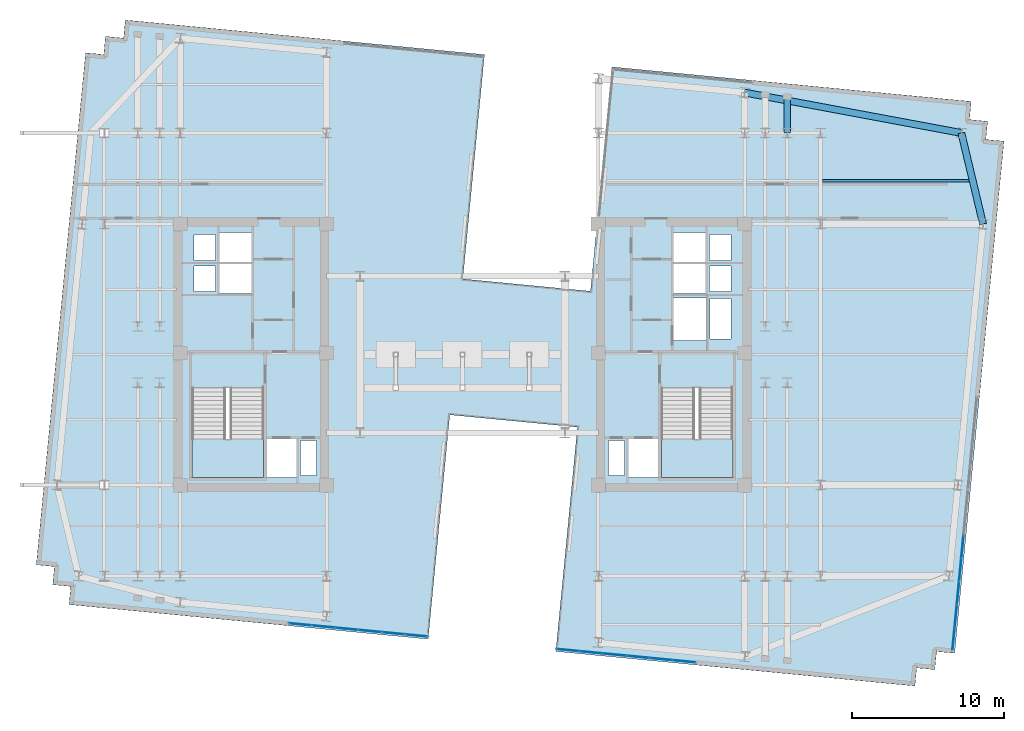
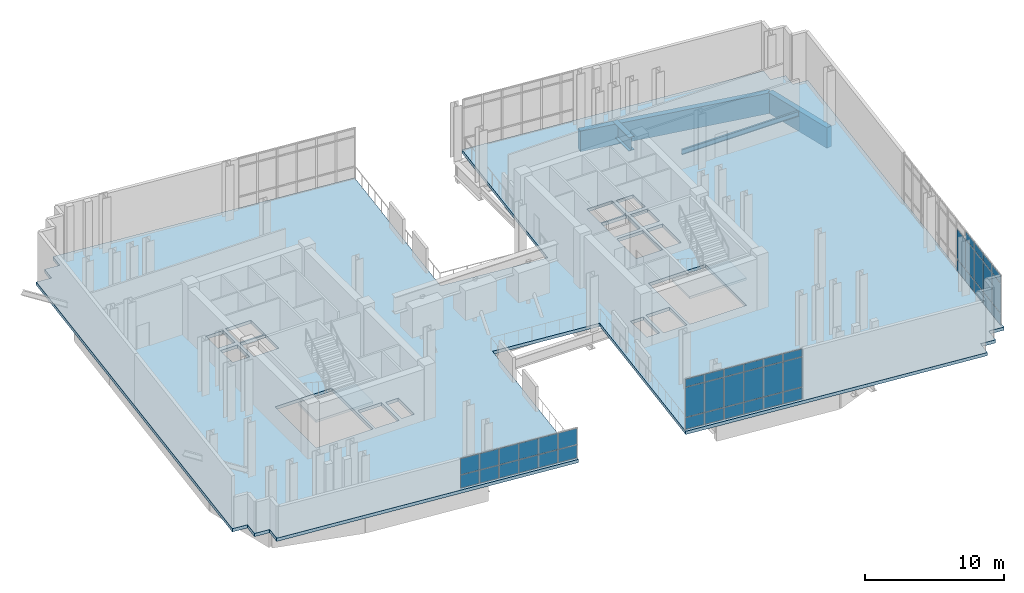
# One storey, part 10 of 16: 44 plates, 4 beams, 3 slabs, 5 elements without a shape of their own.
"""IFC4 building model written with IfcOpenShell, lengths in metres."""

from ifc_helpers import new_model, si_unit, direction, frame, origin, origin_2d, place, context, subcontext, project, spatial, polyline, rectangle, i_section, outline, extrude, material, layer, layer_set, material_profile, profile_set, type_object, element, aggregate, save


model = new_model("IFC4")

# Units and contexts
model_context = context("Model", 3, precision=1e-05, world=origin(), true_north=direction((0.0, 1.0)))
body_context = subcontext(model_context, "Body", "Model", "MODEL_VIEW")
ifc_project = project(units=[si_unit("LENGTHUNIT", "METRE"), si_unit("AREAUNIT", "SQUARE_METRE"), si_unit("VOLUMEUNIT", "CUBIC_METRE"), si_unit("PLANEANGLEUNIT", "RADIAN"), si_unit("MASSUNIT", "GRAM", prefix="KILO")], contexts=[model_context])

# Site, building, storey
site_placement = place(None, origin())
site = spatial("IfcSite", under=ifc_project, at=site_placement, CompositionType="ELEMENT")
building_placement = place(site_placement, origin())
building = spatial("IfcBuilding", under=site, at=building_placement, Name="Velakula Bourse", CompositionType="ELEMENT")
storey_placement = place(building_placement, frame((0.0, 0.0, 199.5)))
storey = spatial("IfcBuildingStorey", under=building, at=storey_placement, Name="L54", CompositionType="ELEMENT", Elevation=199.5)

# Beams
ifc_material_1 = material(Name="Steel IS 2062 Grade 350 (E350)", Category="steel")
ifc_material_profile_1 = material_profile(ifc_material_1, i_section(OverallWidth=0.14990234375, OverallDepth=0.449951171875, WebThickness=0.009521484375, FlangeThickness=0.017333984375, at=origin_2d()), Name="Steel IS 2062 Grade 350 (E350)")
ifc_profile_set_1 = profile_set([ifc_material_profile_1], Name="Steel IS 2062 Grade 350 (E350)")
beam_type_1 = type_object("IfcBeamType", Name="JST-TWR-450", PredefinedType="JOIST", material=ifc_profile_set_1)
beam_1_placement = place(storey_placement, frame((23.72509765625, 11.449951171875, -0.5048828125), z_axis=(1.0, 0.0, 0.0), x_axis=(0.0, 1.0, 0.0)))
element("IfcBeam", 1, at=beam_1_placement, inside=storey, type_object=beam_type_1, Name="L54 Trading Floor Composite Joist 13", PredefinedType="JOIST", context=body_context, shape_type="SweptSolid", body=[
    extrude(i_section(OverallWidth=0.14990234375, OverallDepth=0.449951171875, WebThickness=0.009521484375, FlangeThickness=0.017333984375, at=origin_2d()), origin(), (0.0, 0.0, 1.0), 9.668701171875),
])
ifc_material_2 = material(Name="Concrete M50 (fck 50 MPa)", Category="concrete")
ifc_material_profile_2 = material_profile(ifc_material_2, rectangle(XDim=0.449951171875, YDim=1.800048828125, at=origin_2d()), Name="Concrete M50 (fck 50 MPa)")
ifc_profile_set_2 = profile_set([ifc_material_profile_2], Name="Concrete M50 (fck 50 MPa)")
beam_type_2 = type_object("IfcBeamType", Name="SPN-TRF-1800", PredefinedType="SPANDREL", material=ifc_profile_set_2)
beam_2_placement = place(storey_placement, frame((34.30517578125, 8.60009765625, -1.179931640625), z_axis=(-0.232091371601, 0.972693988482, 0.0), x_axis=(-0.972693988482, -0.232091371601, 0.0)))
element("IfcBeam", 2, at=beam_2_placement, inside=storey, type_object=beam_type_2, Name="L54 Brick-Faced Precast Spandrel E3-E4", PredefinedType="SPANDREL", context=body_context, shape_type="SweptSolid", body=[
    extrude(rectangle(XDim=0.449951171875, YDim=1.800048828125, at=origin_2d()), origin(), (0.0, 0.0, 1.0), 6.16845703125),
])
beam_3_placement = place(storey_placement, frame((32.87353515625, 14.60009765625, -1.179931640625), z_axis=(-0.983069592122, 0.183232576378, 0.0), x_axis=(-0.183232576378, -0.983069592122, 0.0)))
element("IfcBeam", 3, at=beam_3_placement, inside=storey, type_object=beam_type_2, Name="L54 Brick-Faced Precast Spandrel E4-N4", PredefinedType="SPANDREL", context=body_context, shape_type="SweptSolid", body=[
    extrude(rectangle(XDim=0.449951171875, YDim=1.800048828125, at=origin_2d()), origin(), (0.0, 0.0, 1.0), 14.519287109375),
])
ifc_material_3 = material(Name="Steel IS 2062 Grade 450 (E450)", Category="steel")
ifc_material_profile_3 = material_profile(ifc_material_3, i_section(OverallWidth=0.449951171875, OverallDepth=1.199951171875, WebThickness=0.02587890625, FlangeThickness=0.0400390625, at=origin_2d()), Name="Steel IS 2062 Grade 450 (E450)")
ifc_profile_set_3 = profile_set([ifc_material_profile_3], Name="Steel IS 2062 Grade 450 (E450)")
beam_type_3 = type_object("IfcBeamType", Name="TB-CANT-1200", PredefinedType="BEAM", material=ifc_profile_set_3)
beam_4_placement = place(storey_placement, frame((21.39990234375, 14.60009765625, -0.8798828125), z_axis=(0.0, 1.0, 0.0), x_axis=(-1.0, 0.0, 0.0)))
element("IfcBeam", 4, at=beam_4_placement, inside=storey, type_object=beam_type_3, Name="L54 Perimeter Tie Girder P08", PredefinedType="BEAM", context=body_context, shape_type="SweptSolid", body=[
    extrude(i_section(OverallWidth=0.449951171875, OverallDepth=1.199951171875, WebThickness=0.02587890625, FlangeThickness=0.0400390625, at=origin_2d()), origin(), (0.0, 0.0, 1.0), 2.390869140625),
])

# Curtain wall, plates
ifc_material_4 = material(Name="Anodised bronze architectural aluminium", Category="aluminium")
ifc_layer_1 = layer(ifc_material_4, 0.139892578125, Name="Anodised bronze architectural aluminium", Category="aluminium")
ifc_layer_set_1 = layer_set([ifc_layer_1], Name="Anodised bronze architectural aluminium")
curtain_wall_type = type_object("IfcCurtainWallType", Name="CW-TS1", PredefinedType="NOTDEFINED", material=ifc_layer_set_1)
curtain_wall_1_placement = place(storey_placement, origin())
curtain_wall_1 = element("IfcCurtainWall", 5, at=curtain_wall_1_placement, inside=storey, type_object=curtain_wall_type, Name="L54 Venturi Observation Curtain Wall S-B2", PredefinedType="NOTDEFINED")
ifc_material_5 = material(Name="Double-glazed solar-control Low-E glass", Category="glass")
ifc_layer_2 = layer(ifc_material_5, 0.02197265625, Name="Double-glazed solar-control Low-E glass", Category="glass")
ifc_layer_set_2 = layer_set([ifc_layer_2], Name="Double-glazed solar-control Low-E glass")
plate_type = type_object("IfcPlateType", Name="PNL-CW-TS1", PredefinedType="CURTAIN_PANEL", material=ifc_layer_set_2)
plate_1_placement = place(storey_placement, frame((-3.029052734375, -18.521240234375, 0.06005859375), z_axis=(0.0, 0.0, 1.0), x_axis=(-0.995395883396, 0.095849023567, 0.0)))
plate_1 = element("IfcPlate", 6, at=plate_1_placement, type_object=plate_type, Name="CW-TS1 panel 1.1", PredefinedType="CURTAIN_PANEL", context=body_context, shape_type="SweptSolid", body=[
    extrude(rectangle(XDim=1.455810546875, YDim=0.028076171875, at=origin_2d()), origin(), (0.0, 0.0, 1.0), 1.122802734375),
])
plate_2_placement = place(storey_placement, frame((-3.029052734375, -18.521240234375, 1.24267578125), z_axis=(0.0, 0.0, 1.0), x_axis=(-0.995395883396, 0.095849023567, 0.0)))
plate_2 = element("IfcPlate", 7, at=plate_2_placement, type_object=plate_type, Name="CW-TS1 panel 1.2", PredefinedType="CURTAIN_PANEL", context=body_context, shape_type="SweptSolid", body=[
    extrude(rectangle(XDim=1.455810546875, YDim=0.028076171875, at=origin_2d()), origin(), (0.0, 0.0, 1.0), 1.392333984375),
])
plate_3_placement = place(storey_placement, frame((-4.552978515625, -18.37451171875, 0.06005859375), z_axis=(0.0, 0.0, 1.0), x_axis=(-0.995395883396, 0.095849023567, 0.0)))
plate_3 = element("IfcPlate", 8, at=plate_3_placement, type_object=plate_type, Name="CW-TS1 panel 2.1", PredefinedType="CURTAIN_PANEL", context=body_context, shape_type="SweptSolid", body=[
    extrude(rectangle(XDim=1.48583984375, YDim=0.028076171875, at=origin_2d()), origin(), (0.0, 0.0, 1.0), 1.122802734375),
])
plate_4_placement = place(storey_placement, frame((-4.552978515625, -18.37451171875, 1.24267578125), z_axis=(0.0, 0.0, 1.0), x_axis=(-0.995395883396, 0.095849023567, 0.0)))
plate_4 = element("IfcPlate", 9, at=plate_4_placement, type_object=plate_type, Name="CW-TS1 panel 2.2", PredefinedType="CURTAIN_PANEL", context=body_context, shape_type="SweptSolid", body=[
    extrude(rectangle(XDim=1.48583984375, YDim=0.028076171875, at=origin_2d()), origin(), (0.0, 0.0, 1.0), 1.392333984375),
])
plate_5_placement = place(storey_placement, frame((-6.091552734375, -18.226318359375, 0.06005859375), z_axis=(0.0, 0.0, 1.0), x_axis=(-0.995395883396, 0.095849023567, 0.0)))
plate_5 = element("IfcPlate", 10, at=plate_5_placement, type_object=plate_type, Name="CW-TS1 panel 3.1", PredefinedType="CURTAIN_PANEL", context=body_context, shape_type="SweptSolid", body=[
    extrude(rectangle(XDim=1.48583984375, YDim=0.028076171875, at=origin_2d()), origin(), (0.0, 0.0, 1.0), 1.122802734375),
])
plate_6_placement = place(storey_placement, frame((-6.091552734375, -18.226318359375, 1.24267578125), z_axis=(0.0, 0.0, 1.0), x_axis=(-0.995395883396, 0.095849023567, 0.0)))
plate_6 = element("IfcPlate", 11, at=plate_6_placement, type_object=plate_type, Name="CW-TS1 panel 3.2", PredefinedType="CURTAIN_PANEL", context=body_context, shape_type="SweptSolid", body=[
    extrude(rectangle(XDim=1.48583984375, YDim=0.028076171875, at=origin_2d()), origin(), (0.0, 0.0, 1.0), 1.392333984375),
])
plate_7_placement = place(storey_placement, frame((-7.63037109375, -18.078125, 0.06005859375), z_axis=(0.0, 0.0, 1.0), x_axis=(-0.995395883396, 0.095849023567, 0.0)))
plate_7 = element("IfcPlate", 12, at=plate_7_placement, type_object=plate_type, Name="CW-TS1 panel 4.1", PredefinedType="CURTAIN_PANEL", context=body_context, shape_type="SweptSolid", body=[
    extrude(rectangle(XDim=1.48583984375, YDim=0.028076171875, at=origin_2d()), origin(), (0.0, 0.0, 1.0), 1.122802734375),
])
plate_8_placement = place(storey_placement, frame((-7.63037109375, -18.078125, 1.24267578125), z_axis=(0.0, 0.0, 1.0), x_axis=(-0.995395883396, 0.095849023567, 0.0)))
plate_8 = element("IfcPlate", 13, at=plate_8_placement, type_object=plate_type, Name="CW-TS1 panel 4.2", PredefinedType="CURTAIN_PANEL", context=body_context, shape_type="SweptSolid", body=[
    extrude(rectangle(XDim=1.48583984375, YDim=0.028076171875, at=origin_2d()), origin(), (0.0, 0.0, 1.0), 1.392333984375),
])
plate_9_placement = place(storey_placement, frame((-9.1689453125, -17.929931640625, 0.06005859375), z_axis=(0.0, 0.0, 1.0), x_axis=(-0.995395883396, 0.095849023567, 0.0)))
plate_9 = element("IfcPlate", 14, at=plate_9_placement, type_object=plate_type, Name="CW-TS1 panel 5.1", PredefinedType="CURTAIN_PANEL", context=body_context, shape_type="SweptSolid", body=[
    extrude(rectangle(XDim=1.48583984375, YDim=0.028076171875, at=origin_2d()), origin(), (0.0, 0.0, 1.0), 1.122802734375),
])
plate_10_placement = place(storey_placement, frame((-9.1689453125, -17.929931640625, 1.24267578125), z_axis=(0.0, 0.0, 1.0), x_axis=(-0.995395883396, 0.095849023567, 0.0)))
plate_10 = element("IfcPlate", 15, at=plate_10_placement, type_object=plate_type, Name="CW-TS1 panel 5.2", PredefinedType="CURTAIN_PANEL", context=body_context, shape_type="SweptSolid", body=[
    extrude(rectangle(XDim=1.48583984375, YDim=0.028076171875, at=origin_2d()), origin(), (0.0, 0.0, 1.0), 1.392333984375),
])
plate_11_placement = place(storey_placement, frame((-10.69287109375, -17.783203125, 0.06005859375), z_axis=(0.0, 0.0, 1.0), x_axis=(-0.995395883396, 0.095849023567, 0.0)))
plate_11 = element("IfcPlate", 16, at=plate_11_placement, type_object=plate_type, Name="CW-TS1 panel 6.1", PredefinedType="CURTAIN_PANEL", context=body_context, shape_type="SweptSolid", body=[
    extrude(rectangle(XDim=1.455810546875, YDim=0.028076171875, at=origin_2d()), origin(), (0.0, 0.0, 1.0), 1.122802734375),
])
plate_12_placement = place(storey_placement, frame((-10.69287109375, -17.783203125, 1.24267578125), z_axis=(0.0, 0.0, 1.0), x_axis=(-0.995395883396, 0.095849023567, 0.0)))
plate_12 = element("IfcPlate", 17, at=plate_12_placement, type_object=plate_type, Name="CW-TS1 panel 6.2", PredefinedType="CURTAIN_PANEL", context=body_context, shape_type="SweptSolid", body=[
    extrude(rectangle(XDim=1.455810546875, YDim=0.028076171875, at=origin_2d()), origin(), (0.0, 0.0, 1.0), 1.392333984375),
])
aggregate(curtain_wall_1, [plate_1, plate_2, plate_3, plate_4, plate_5, plate_6, plate_7, plate_8, plate_9, plate_10, plate_11, plate_12])

curtain_wall_2_placement = place(storey_placement, origin())
curtain_wall_2 = element("IfcCurtainWall", 18, at=curtain_wall_2_placement, inside=storey, type_object=curtain_wall_type, Name="L54 Venturi Observation Curtain Wall S-B4", PredefinedType="NOTDEFINED")
plate_13_placement = place(storey_placement, frame((14.6142578125, -20.219970703125, 0.06005859375), z_axis=(0.0, 0.0, 1.0), x_axis=(-0.995395883396, 0.095849023567, 0.0)))
plate_13 = element("IfcPlate", 19, at=plate_13_placement, type_object=plate_type, Name="CW-TS1 panel 1.1", PredefinedType="CURTAIN_PANEL", context=body_context, shape_type="SweptSolid", body=[
    extrude(rectangle(XDim=1.455810546875, YDim=0.028076171875, at=origin_2d()), origin(), (0.0, 0.0, 1.0), 1.010009765625),
])
plate_14_placement = place(storey_placement, frame((14.6142578125, -20.219970703125, 1.1298828125), z_axis=(0.0, 0.0, 1.0), x_axis=(-0.995395883396, 0.095849023567, 0.0)))
plate_14 = element("IfcPlate", 20, at=plate_14_placement, type_object=plate_type, Name="CW-TS1 panel 1.2", PredefinedType="CURTAIN_PANEL", context=body_context, shape_type="SweptSolid", body=[
    extrude(rectangle(XDim=1.455810546875, YDim=0.028076171875, at=origin_2d()), origin(), (0.0, 0.0, 1.0), 2.590087890625),
])
plate_15_placement = place(storey_placement, frame((14.6142578125, -20.219970703125, 3.7802734375), z_axis=(0.0, 0.0, 1.0), x_axis=(-0.995395883396, 0.095849023567, 0.0)))
plate_15 = element("IfcPlate", 21, at=plate_15_placement, type_object=plate_type, Name="CW-TS1 panel 1.3", PredefinedType="CURTAIN_PANEL", context=body_context, shape_type="SweptSolid", body=[
    extrude(rectangle(XDim=1.455810546875, YDim=0.028076171875, at=origin_2d()), origin(), (0.0, 0.0, 1.0), 0.659912109375),
])
plate_16_placement = place(storey_placement, frame((13.090576171875, -20.0732421875, 0.06005859375), z_axis=(0.0, 0.0, 1.0), x_axis=(-0.995395883396, 0.095849023567, 0.0)))
plate_16 = element("IfcPlate", 22, at=plate_16_placement, type_object=plate_type, Name="CW-TS1 panel 2.1", PredefinedType="CURTAIN_PANEL", context=body_context, shape_type="SweptSolid", body=[
    extrude(rectangle(XDim=1.48583984375, YDim=0.028076171875, at=origin_2d()), origin(), (0.0, 0.0, 1.0), 1.010009765625),
])
plate_17_placement = place(storey_placement, frame((13.090576171875, -20.0732421875, 1.1298828125), z_axis=(0.0, 0.0, 1.0), x_axis=(-0.995395883396, 0.095849023567, 0.0)))
plate_17 = element("IfcPlate", 23, at=plate_17_placement, type_object=plate_type, Name="CW-TS1 panel 2.2", PredefinedType="CURTAIN_PANEL", context=body_context, shape_type="SweptSolid", body=[
    extrude(rectangle(XDim=1.48583984375, YDim=0.028076171875, at=origin_2d()), origin(), (0.0, 0.0, 1.0), 2.590087890625),
])
plate_18_placement = place(storey_placement, frame((13.090576171875, -20.0732421875, 3.7802734375), z_axis=(0.0, 0.0, 1.0), x_axis=(-0.995395883396, 0.095849023567, 0.0)))
plate_18 = element("IfcPlate", 24, at=plate_18_placement, type_object=plate_type, Name="CW-TS1 panel 2.3", PredefinedType="CURTAIN_PANEL", context=body_context, shape_type="SweptSolid", body=[
    extrude(rectangle(XDim=1.48583984375, YDim=0.028076171875, at=origin_2d()), origin(), (0.0, 0.0, 1.0), 0.659912109375),
])
plate_19_placement = place(storey_placement, frame((11.5517578125, -19.92529296875, 0.06005859375), z_axis=(0.0, 0.0, 1.0), x_axis=(-0.995395883396, 0.095849023567, 0.0)))
plate_19 = element("IfcPlate", 25, at=plate_19_placement, type_object=plate_type, Name="CW-TS1 panel 3.1", PredefinedType="CURTAIN_PANEL", context=body_context, shape_type="SweptSolid", body=[
    extrude(rectangle(XDim=1.48583984375, YDim=0.028076171875, at=origin_2d()), origin(), (0.0, 0.0, 1.0), 1.010009765625),
])
plate_20_placement = place(storey_placement, frame((11.5517578125, -19.92529296875, 1.1298828125), z_axis=(0.0, 0.0, 1.0), x_axis=(-0.995395883396, 0.095849023567, 0.0)))
plate_20 = element("IfcPlate", 26, at=plate_20_placement, type_object=plate_type, Name="CW-TS1 panel 3.2", PredefinedType="CURTAIN_PANEL", context=body_context, shape_type="SweptSolid", body=[
    extrude(rectangle(XDim=1.48583984375, YDim=0.028076171875, at=origin_2d()), origin(), (0.0, 0.0, 1.0), 2.590087890625),
])
plate_21_placement = place(storey_placement, frame((11.5517578125, -19.92529296875, 3.7802734375), z_axis=(0.0, 0.0, 1.0), x_axis=(-0.995395883396, 0.095849023567, 0.0)))
plate_21 = element("IfcPlate", 27, at=plate_21_placement, type_object=plate_type, Name="CW-TS1 panel 3.3", PredefinedType="CURTAIN_PANEL", context=body_context, shape_type="SweptSolid", body=[
    extrude(rectangle(XDim=1.48583984375, YDim=0.028076171875, at=origin_2d()), origin(), (0.0, 0.0, 1.0), 0.659912109375),
])
plate_22_placement = place(storey_placement, frame((10.01318359375, -19.777099609375, 0.06005859375), z_axis=(0.0, 0.0, 1.0), x_axis=(-0.995395883396, 0.095849023567, 0.0)))
plate_22 = element("IfcPlate", 28, at=plate_22_placement, type_object=plate_type, Name="CW-TS1 panel 4.1", PredefinedType="CURTAIN_PANEL", context=body_context, shape_type="SweptSolid", body=[
    extrude(rectangle(XDim=1.48583984375, YDim=0.028076171875, at=origin_2d()), origin(), (0.0, 0.0, 1.0), 1.010009765625),
])
plate_23_placement = place(storey_placement, frame((10.01318359375, -19.777099609375, 1.1298828125), z_axis=(0.0, 0.0, 1.0), x_axis=(-0.995395883396, 0.095849023567, 0.0)))
plate_23 = element("IfcPlate", 29, at=plate_23_placement, type_object=plate_type, Name="CW-TS1 panel 4.2", PredefinedType="CURTAIN_PANEL", context=body_context, shape_type="SweptSolid", body=[
    extrude(rectangle(XDim=1.48583984375, YDim=0.028076171875, at=origin_2d()), origin(), (0.0, 0.0, 1.0), 2.590087890625),
])
plate_24_placement = place(storey_placement, frame((10.01318359375, -19.777099609375, 3.7802734375), z_axis=(0.0, 0.0, 1.0), x_axis=(-0.995395883396, 0.095849023567, 0.0)))
plate_24 = element("IfcPlate", 30, at=plate_24_placement, type_object=plate_type, Name="CW-TS1 panel 4.3", PredefinedType="CURTAIN_PANEL", context=body_context, shape_type="SweptSolid", body=[
    extrude(rectangle(XDim=1.48583984375, YDim=0.028076171875, at=origin_2d()), origin(), (0.0, 0.0, 1.0), 0.659912109375),
])
plate_25_placement = place(storey_placement, frame((8.474365234375, -19.62890625, 0.06005859375), z_axis=(0.0, 0.0, 1.0), x_axis=(-0.995395883396, 0.095849023567, 0.0)))
plate_25 = element("IfcPlate", 31, at=plate_25_placement, type_object=plate_type, Name="CW-TS1 panel 5.1", PredefinedType="CURTAIN_PANEL", context=body_context, shape_type="SweptSolid", body=[
    extrude(rectangle(XDim=1.48583984375, YDim=0.028076171875, at=origin_2d()), origin(), (0.0, 0.0, 1.0), 1.010009765625),
])
plate_26_placement = place(storey_placement, frame((8.474365234375, -19.62890625, 1.1298828125), z_axis=(0.0, 0.0, 1.0), x_axis=(-0.995395883396, 0.095849023567, 0.0)))
plate_26 = element("IfcPlate", 32, at=plate_26_placement, type_object=plate_type, Name="CW-TS1 panel 5.2", PredefinedType="CURTAIN_PANEL", context=body_context, shape_type="SweptSolid", body=[
    extrude(rectangle(XDim=1.48583984375, YDim=0.028076171875, at=origin_2d()), origin(), (0.0, 0.0, 1.0), 2.590087890625),
])
plate_27_placement = place(storey_placement, frame((8.474365234375, -19.62890625, 3.7802734375), z_axis=(0.0, 0.0, 1.0), x_axis=(-0.995395883396, 0.095849023567, 0.0)))
plate_27 = element("IfcPlate", 33, at=plate_27_placement, type_object=plate_type, Name="CW-TS1 panel 5.3", PredefinedType="CURTAIN_PANEL", context=body_context, shape_type="SweptSolid", body=[
    extrude(rectangle(XDim=1.48583984375, YDim=0.028076171875, at=origin_2d()), origin(), (0.0, 0.0, 1.0), 0.659912109375),
])
plate_28_placement = place(storey_placement, frame((6.95068359375, -19.482177734375, 0.06005859375), z_axis=(0.0, 0.0, 1.0), x_axis=(-0.995395883396, 0.095849023567, 0.0)))
plate_28 = element("IfcPlate", 34, at=plate_28_placement, type_object=plate_type, Name="CW-TS1 panel 6.1", PredefinedType="CURTAIN_PANEL", context=body_context, shape_type="SweptSolid", body=[
    extrude(rectangle(XDim=1.455810546875, YDim=0.028076171875, at=origin_2d()), origin(), (0.0, 0.0, 1.0), 1.010009765625),
])
plate_29_placement = place(storey_placement, frame((6.95068359375, -19.482177734375, 1.1298828125), z_axis=(0.0, 0.0, 1.0), x_axis=(-0.995395883396, 0.095849023567, 0.0)))
plate_29 = element("IfcPlate", 35, at=plate_29_placement, type_object=plate_type, Name="CW-TS1 panel 6.2", PredefinedType="CURTAIN_PANEL", context=body_context, shape_type="SweptSolid", body=[
    extrude(rectangle(XDim=1.455810546875, YDim=0.028076171875, at=origin_2d()), origin(), (0.0, 0.0, 1.0), 2.590087890625),
])
plate_30_placement = place(storey_placement, frame((6.95068359375, -19.482177734375, 3.7802734375), z_axis=(0.0, 0.0, 1.0), x_axis=(-0.995395883396, 0.095849023567, 0.0)))
plate_30 = element("IfcPlate", 36, at=plate_30_placement, type_object=plate_type, Name="CW-TS1 panel 6.3", PredefinedType="CURTAIN_PANEL", context=body_context, shape_type="SweptSolid", body=[
    extrude(rectangle(XDim=1.455810546875, YDim=0.028076171875, at=origin_2d()), origin(), (0.0, 0.0, 1.0), 0.659912109375),
])
aggregate(curtain_wall_2, [plate_13, plate_14, plate_15, plate_16, plate_17, plate_18, plate_19, plate_20, plate_21, plate_22, plate_23, plate_24, plate_25, plate_26, plate_27, plate_28, plate_29, plate_30])

curtain_wall_3_placement = place(storey_placement, origin())
curtain_wall_3 = element("IfcCurtainWall", 37, at=curtain_wall_3_placement, inside=storey, type_object=curtain_wall_type, Name="L54 Turbine Plenum Curtain Wall E-W1", PredefinedType="NOTDEFINED")
plate_31_placement = place(storey_placement, frame((32.949951171875, -12.674072265625, 0.06005859375), z_axis=(0.0, 0.0, 1.0), x_axis=(-0.095848704547, -0.995395914115, 0.0)))
plate_31 = element("IfcPlate", 38, at=plate_31_placement, type_object=plate_type, Name="CW-TS1 panel 7.1", PredefinedType="CURTAIN_PANEL", context=body_context, shape_type="SweptSolid", body=[
    extrude(rectangle(XDim=1.46630859375, YDim=0.028076171875, at=origin_2d()), origin(), (0.0, 0.0, 1.0), 1.010009765625),
])
plate_32_placement = place(storey_placement, frame((32.949951171875, -12.674072265625, 1.1298828125), z_axis=(0.0, 0.0, 1.0), x_axis=(-0.095848704547, -0.995395914115, 0.0)))
plate_32 = element("IfcPlate", 39, at=plate_32_placement, type_object=plate_type, Name="CW-TS1 panel 7.2", PredefinedType="CURTAIN_PANEL", context=body_context, shape_type="SweptSolid", body=[
    extrude(rectangle(XDim=1.46630859375, YDim=0.028076171875, at=origin_2d()), origin(), (0.0, 0.0, 1.0), 2.590087890625),
])
plate_33_placement = place(storey_placement, frame((32.803466796875, -14.193359375, 0.06005859375), z_axis=(0.0, 0.0, 1.0), x_axis=(-0.095848704547, -0.995395914115, 0.0)))
plate_33 = element("IfcPlate", 40, at=plate_33_placement, type_object=plate_type, Name="CW-TS1 panel 8.1", PredefinedType="CURTAIN_PANEL", context=body_context, shape_type="SweptSolid", body=[
    extrude(rectangle(XDim=1.46630859375, YDim=0.028076171875, at=origin_2d()), origin(), (0.0, 0.0, 1.0), 1.010009765625),
])
plate_34_placement = place(storey_placement, frame((32.803466796875, -14.193359375, 1.1298828125), z_axis=(0.0, 0.0, 1.0), x_axis=(-0.095848704547, -0.995395914115, 0.0)))
plate_34 = element("IfcPlate", 41, at=plate_34_placement, type_object=plate_type, Name="CW-TS1 panel 8.2", PredefinedType="CURTAIN_PANEL", context=body_context, shape_type="SweptSolid", body=[
    extrude(rectangle(XDim=1.46630859375, YDim=0.028076171875, at=origin_2d()), origin(), (0.0, 0.0, 1.0), 2.590087890625),
])
plate_35_placement = place(storey_placement, frame((32.803466796875, -14.193359375, 3.7802734375), z_axis=(0.0, 0.0, 1.0), x_axis=(-0.095848704547, -0.995395914115, 0.0)))
plate_35 = element("IfcPlate", 42, at=plate_35_placement, type_object=plate_type, Name="CW-TS1 panel 8.3", PredefinedType="CURTAIN_PANEL", context=body_context, shape_type="SweptSolid", body=[
    extrude(rectangle(XDim=1.46630859375, YDim=0.028076171875, at=origin_2d()), origin(), (0.0, 0.0, 1.0), 0.659912109375),
])
plate_36_placement = place(storey_placement, frame((32.6572265625, -15.712646484375, 0.06005859375), z_axis=(0.0, 0.0, 1.0), x_axis=(-0.095848704547, -0.995395914115, 0.0)))
plate_36 = element("IfcPlate", 43, at=plate_36_placement, type_object=plate_type, Name="CW-TS1 panel 9.1", PredefinedType="CURTAIN_PANEL", context=body_context, shape_type="SweptSolid", body=[
    extrude(rectangle(XDim=1.46630859375, YDim=0.028076171875, at=origin_2d()), origin(), (0.0, 0.0, 1.0), 1.010009765625),
])
plate_37_placement = place(storey_placement, frame((32.6572265625, -15.712646484375, 1.1298828125), z_axis=(0.0, 0.0, 1.0), x_axis=(-0.095848704547, -0.995395914115, 0.0)))
plate_37 = element("IfcPlate", 44, at=plate_37_placement, type_object=plate_type, Name="CW-TS1 panel 9.2", PredefinedType="CURTAIN_PANEL", context=body_context, shape_type="SweptSolid", body=[
    extrude(rectangle(XDim=1.46630859375, YDim=0.028076171875, at=origin_2d()), origin(), (0.0, 0.0, 1.0), 2.590087890625),
])
plate_38_placement = place(storey_placement, frame((32.6572265625, -15.712646484375, 3.7802734375), z_axis=(0.0, 0.0, 1.0), x_axis=(-0.095848704547, -0.995395914115, 0.0)))
plate_38 = element("IfcPlate", 45, at=plate_38_placement, type_object=plate_type, Name="CW-TS1 panel 9.3", PredefinedType="CURTAIN_PANEL", context=body_context, shape_type="SweptSolid", body=[
    extrude(rectangle(XDim=1.46630859375, YDim=0.028076171875, at=origin_2d()), origin(), (0.0, 0.0, 1.0), 0.659912109375),
])
plate_39_placement = place(storey_placement, frame((32.510986328125, -17.232177734375, 0.06005859375), z_axis=(0.0, 0.0, 1.0), x_axis=(-0.095848704547, -0.995395914115, 0.0)))
plate_39 = element("IfcPlate", 46, at=plate_39_placement, type_object=plate_type, Name="CW-TS1 panel 10.1", PredefinedType="CURTAIN_PANEL", context=body_context, shape_type="SweptSolid", body=[
    extrude(rectangle(XDim=1.46630859375, YDim=0.028076171875, at=origin_2d()), origin(), (0.0, 0.0, 1.0), 1.010009765625),
])
plate_40_placement = place(storey_placement, frame((32.510986328125, -17.232177734375, 1.1298828125), z_axis=(0.0, 0.0, 1.0), x_axis=(-0.095848704547, -0.995395914115, 0.0)))
plate_40 = element("IfcPlate", 47, at=plate_40_placement, type_object=plate_type, Name="CW-TS1 panel 10.2", PredefinedType="CURTAIN_PANEL", context=body_context, shape_type="SweptSolid", body=[
    extrude(rectangle(XDim=1.46630859375, YDim=0.028076171875, at=origin_2d()), origin(), (0.0, 0.0, 1.0), 2.590087890625),
])
plate_41_placement = place(storey_placement, frame((32.510986328125, -17.232177734375, 3.7802734375), z_axis=(0.0, 0.0, 1.0), x_axis=(-0.095848704547, -0.995395914115, 0.0)))
plate_41 = element("IfcPlate", 48, at=plate_41_placement, type_object=plate_type, Name="CW-TS1 panel 10.3", PredefinedType="CURTAIN_PANEL", context=body_context, shape_type="SweptSolid", body=[
    extrude(rectangle(XDim=1.46630859375, YDim=0.028076171875, at=origin_2d()), origin(), (0.0, 0.0, 1.0), 0.659912109375),
])
plate_42_placement = place(storey_placement, frame((32.365966796875, -18.736572265625, 0.06005859375), z_axis=(0.0, 0.0, 1.0), x_axis=(-0.095848704547, -0.995395914115, 0.0)))
plate_42 = element("IfcPlate", 49, at=plate_42_placement, type_object=plate_type, Name="CW-TS1 panel 11.1", PredefinedType="CURTAIN_PANEL", context=body_context, shape_type="SweptSolid", body=[
    extrude(rectangle(XDim=1.436279296875, YDim=0.028076171875, at=origin_2d()), origin(), (0.0, 0.0, 1.0), 1.010009765625),
])
plate_43_placement = place(storey_placement, frame((32.365966796875, -18.736572265625, 1.1298828125), z_axis=(0.0, 0.0, 1.0), x_axis=(-0.095848704547, -0.995395914115, 0.0)))
plate_43 = element("IfcPlate", 50, at=plate_43_placement, type_object=plate_type, Name="CW-TS1 panel 11.2", PredefinedType="CURTAIN_PANEL", context=body_context, shape_type="SweptSolid", body=[
    extrude(rectangle(XDim=1.436279296875, YDim=0.028076171875, at=origin_2d()), origin(), (0.0, 0.0, 1.0), 2.590087890625),
])
plate_44_placement = place(storey_placement, frame((32.365966796875, -18.736572265625, 3.7802734375), z_axis=(0.0, 0.0, 1.0), x_axis=(-0.095848704547, -0.995395914115, 0.0)))
plate_44 = element("IfcPlate", 51, at=plate_44_placement, type_object=plate_type, Name="CW-TS1 panel 11.3", PredefinedType="CURTAIN_PANEL", context=body_context, shape_type="SweptSolid", body=[
    extrude(rectangle(XDim=1.436279296875, YDim=0.028076171875, at=origin_2d()), origin(), (0.0, 0.0, 1.0), 0.659912109375),
])
aggregate(curtain_wall_3, [plate_31, plate_32, plate_33, plate_34, plate_35, plate_36, plate_37, plate_38, plate_39, plate_40, plate_41, plate_42, plate_43, plate_44])

# Stair, slab
ifc_material_6 = material(Name="Concrete M45 (fck 45 MPa)", Category="concrete")
stair_type = type_object("IfcStairType", Name="STR-DOG-480", PredefinedType="HALF_TURN_STAIR", material=ifc_material_6)
stair_1_placement = place(storey_placement, origin())
stair_1 = element("IfcStair", 52, at=stair_1_placement, inside=storey, type_object=stair_type, Name="L54 West Core Exit Stair ST-W1", PredefinedType="HALF_TURN_STAIR")
ifc_layer_3 = layer(ifc_material_6, 0.199951171875, Name="Concrete M45 (fck 45 MPa)", Category="concrete")
ifc_layer_set_3 = layer_set([ifc_layer_3], Name="Concrete M45 (fck 45 MPa)")
slab_type_1 = type_object("IfcSlabType", Name="SLB-STAIR-LND-200", PredefinedType="LANDING", material=ifc_layer_set_3)
slab_1_placement = place(storey_placement, frame((0.0, 0.0, 2.199951171875)))
slab_1 = element("IfcSlab", 53, at=slab_1_placement, type_object=slab_type_1, Name="ST-W1 landing 1", PredefinedType="LANDING", context=body_context, shape_type="SweptSolid", body=[
    extrude(outline(polyline([(-17.820068359375, -5.56005859375), (-17.820068359375, -8.10009765625), (-13.10009765625, -8.10009765625), (-13.10009765625, -5.56005859375), (-17.820068359375, -5.56005859375)])), origin(), (0.0, 0.0, 1.0), 0.199951171875),
])
aggregate(stair_1, [slab_1])

stair_2_placement = place(storey_placement, origin())
stair_2 = element("IfcStair", 54, at=stair_2_placement, inside=storey, type_object=stair_type, Name="L54 East Core Exit Stair ST-E1", PredefinedType="HALF_TURN_STAIR")
slab_2_placement = place(storey_placement, frame((0.0, 0.0, 2.199951171875)))
slab_2 = element("IfcSlab", 55, at=slab_2_placement, type_object=slab_type_1, Name="ST-E1 landing 1", PredefinedType="LANDING", context=body_context, shape_type="SweptSolid", body=[
    extrude(outline(polyline([(13.10009765625, -5.56005859375), (13.10009765625, -8.10009765625), (17.820068359375, -8.10009765625), (17.820068359375, -5.56005859375), (13.10009765625, -5.56005859375)])), origin(), (0.0, 0.0, 1.0), 0.199951171875),
])
aggregate(stair_2, [slab_2])

# Slab
ifc_layer_4 = layer(ifc_material_2, 0.280029296875, Name="Concrete M50 (fck 50 MPa)", Category="concrete")
ifc_layer_set_4 = layer_set([ifc_layer_4], Name="Concrete M50 (fck 50 MPa)")
slab_type_2 = type_object("IfcSlabType", Name="SLB-TRF-280", PredefinedType="FLOOR", material=ifc_layer_set_4)
slab_3_placement = place(storey_placement, frame((0.0, 0.0, -0.280029296875)))
element("IfcSlab", 56, at=slab_3_placement, inside=storey, type_object=slab_type_2, Name="L54 Turbine Slot Structural Floor Slab 1", PredefinedType="FLOOR", context=body_context, shape_type="SweptSolid", body=[
    extrude(outline(polyline([(-25.92578125, -16.477294921875), (-25.810791015625, -15.28271484375), (-27.005126953125, -15.167724609375), (-26.89013671875, -13.973388671875), (-28.084716796875, -13.8583984375), (-24.83544921875, 19.8857421875), (-23.64111328125, 19.770751953125), (-23.52587890625, 20.965087890625), (-22.33154296875, 20.85009765625), (-22.216552734375, 22.044677734375), (1.44921875, 19.765869140625), (0.02587890625, 4.984130859375), (8.43701171875, 4.17431640625), (9.860107421875, 18.9560546875), (33.525634765625, 16.67724609375), (33.41064453125, 15.48291015625), (34.605224609375, 15.36767578125), (34.490234375, 14.17333984375), (35.6845703125, 14.058349609375), (32.435546875, -19.685791015625), (31.240966796875, -19.57080078125), (31.1259765625, -20.76513671875), (29.931396484375, -20.650146484375), (29.81640625, -21.844482421875), (6.15087890625, -19.56591796875), (7.57421875, -4.7841796875), (-0.8369140625, -3.974365234375), (-2.26025390625, -18.756103515625), (-25.92578125, -16.477294921875)]), holes=[polyline([(-17.820068359375, -8.10009765625), (-13.10009765625, -8.10009765625), (-13.10009765625, -2.199951171875), (-17.820068359375, -2.199951171875), (-17.820068359375, -8.10009765625)]), polyline([(13.10009765625, -8.10009765625), (17.820068359375, -8.10009765625), (17.820068359375, -2.199951171875), (13.10009765625, -2.199951171875), (13.10009765625, -8.10009765625)]), polyline([(-12.89990234375, -8.10009765625), (-10.949951171875, -8.10009765625), (-10.949951171875, -5.550048828125), (-12.89990234375, -5.550048828125), (-12.89990234375, -8.10009765625)]), polyline([(10.949951171875, -8.10009765625), (12.89990234375, -8.10009765625), (12.89990234375, -5.550048828125), (10.949951171875, -5.550048828125), (10.949951171875, -8.10009765625)]), polyline([(13.89990234375, 0.919921875), (16.050048828125, 0.919921875), (16.050048828125, 3.719970703125), (13.89990234375, 3.719970703125), (13.89990234375, 0.919921875)]), polyline([(-10.679931640625, -7.97998046875), (-9.6201171875, -7.97998046875), (-9.6201171875, -5.669921875), (-10.679931640625, -5.669921875), (-10.679931640625, -7.97998046875)]), polyline([(-17.679931640625, 4.139892578125), (-16.27001953125, 4.139892578125), (-16.27001953125, 5.85009765625), (-17.679931640625, 5.85009765625), (-17.679931640625, 4.139892578125)]), polyline([(-17.679931640625, 6.2099609375), (-16.27001953125, 6.2099609375), (-16.27001953125, 7.919921875), (-17.679931640625, 7.919921875), (-17.679931640625, 6.2099609375)]), polyline([(9.6201171875, -7.97998046875), (10.679931640625, -7.97998046875), (10.679931640625, -5.669921875), (9.6201171875, -5.669921875), (9.6201171875, -7.97998046875)]), polyline([(16.27001953125, 4.139892578125), (17.679931640625, 4.139892578125), (17.679931640625, 5.85009765625), (16.27001953125, 5.85009765625), (16.27001953125, 4.139892578125)]), polyline([(16.27001953125, 6.2099609375), (17.679931640625, 6.2099609375), (17.679931640625, 7.919921875), (16.27001953125, 7.919921875), (16.27001953125, 6.2099609375)]), polyline([(16.320068359375, 1.0400390625), (17.679931640625, 1.0400390625), (17.679931640625, 3.699951171875), (16.320068359375, 3.699951171875), (16.320068359375, 1.0400390625)]), polyline([(-16.0, 4.02001953125), (-13.89990234375, 4.02001953125), (-13.89990234375, 5.969970703125), (-16.0, 5.969970703125), (-16.0, 4.02001953125)]), polyline([(-16.0, 6.090087890625), (-13.89990234375, 6.090087890625), (-13.89990234375, 8.0400390625), (-16.0, 8.0400390625), (-16.0, 6.090087890625)]), polyline([(13.89990234375, 4.02001953125), (16.0, 4.02001953125), (16.0, 5.969970703125), (13.89990234375, 5.969970703125), (13.89990234375, 4.02001953125)]), polyline([(13.89990234375, 6.090087890625), (16.0, 6.090087890625), (16.0, 8.0400390625), (13.89990234375, 8.0400390625), (13.89990234375, 6.090087890625)])]), origin(), (0.0, 0.0, 1.0), 0.280029296875),
])

save(model, "model.ifc")
